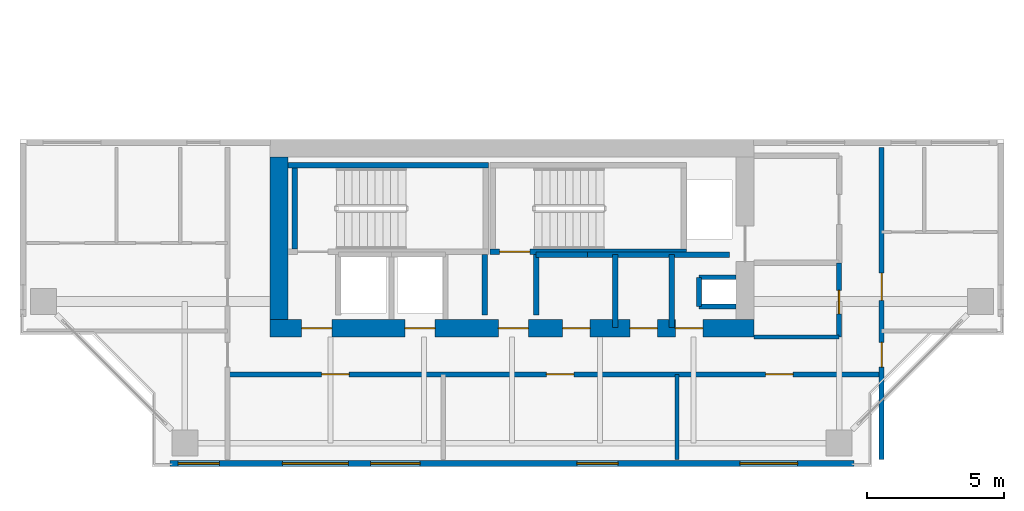
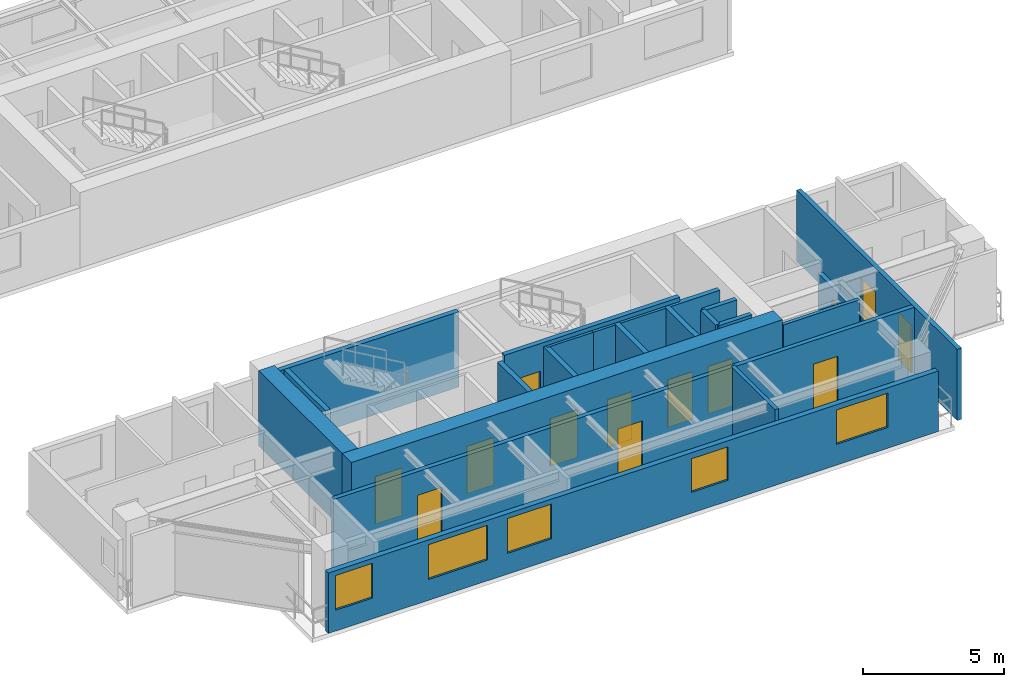
# One storey, part 7 of 12: 20 walls, 13 doors, 5 windows, 18 openings.
"""IFC4 building model written with IfcOpenShell, lengths in metres."""

from ifc_helpers import new_model, si_unit, direction, frame, frame_2d, origin, place, context, subcontext, project, spatial, rectangle, extrude, source, transform, mapped, material, layer, layer_set, type_object, element, fill, save


model = new_model("IFC4")

# Units and contexts
model_context = context("Model", 3, precision=1e-05, world=origin(), true_north=direction((0.0, 1.0)))
body_context = subcontext(model_context, "Body", "Model", "MODEL_VIEW")
ifc_project = project(units=[si_unit("LENGTHUNIT", "METRE"), si_unit("AREAUNIT", "SQUARE_METRE"), si_unit("VOLUMEUNIT", "CUBIC_METRE"), si_unit("PLANEANGLEUNIT", "RADIAN"), si_unit("MASSUNIT", "GRAM", prefix="KILO"), si_unit("THERMODYNAMICTEMPERATUREUNIT", "KELVIN"), si_unit("POWERUNIT", "WATT")], contexts=[model_context])

# Site, building, storey
site_placement = place(None, origin())
site = spatial("IfcSite", under=ifc_project, at=site_placement, CompositionType="ELEMENT")
building_placement = place(site_placement, origin())
building = spatial("IfcBuilding", under=site, at=building_placement, Name="Qiaomeng Ring Towers", CompositionType="ELEMENT")
storey_placement = place(building_placement, frame((0.0, 0.0, 160.0)))
storey = spatial("IfcBuildingStorey", under=building, at=storey_placement, Name="L46", CompositionType="ELEMENT", Elevation=160.0)

# Wall, openings, windows
ifc_material_1 = material(Name="Precast concrete C40", Category="concrete")
ifc_layer_1 = layer(ifc_material_1, 0.219970703125, Name="Precast concrete C40")
ifc_layer_set_1 = layer_set([ifc_layer_1], Name="Precast concrete C40")
wall_type_1 = type_object("IfcWallType", Name="ARC-WL-EW2", PredefinedType="STANDARD", material=ifc_layer_set_1)
wall_1_placement = place(storey_placement, frame((6.550048828125, 5.2099609375, 0.0), z_axis=(0.0, 0.0, 1.0), x_axis=(1.0, 0.0, 0.0)))
wall_1 = element("IfcWall", 1, at=wall_1_placement, inside=storey, type_object=wall_type_1, Name="L46 Tower 1 S Exterior Wall", PredefinedType="STANDARD", context=body_context, shape_type="SweptSolid", body=[
    extrude(rectangle(XDim=24.89990234375, YDim=0.219970703125, at=frame_2d((12.449951171875, 0.0))), origin(), (0.0, 0.0, 1.0), 2.610107421875),
])
opening_1_placement = place(wall_1_placement, frame((0.300048828125, 0.0, 0.89990234375)))
opening_1 = element("IfcOpeningElement", 2, at=opening_1_placement, cuts=wall_1, Name="Opening WN2", PredefinedType="OPENING", context=body_context, shape_type="SweptSolid", body=[
    extrude(rectangle(XDim=1.5, YDim=1.5, at=frame_2d((0.75, 0.75))), frame((0.0, 0.119873046875, 0.0), z_axis=(0.0, -1.0, 0.0), x_axis=(1.0, 0.0, 0.0)), (0.0, 0.0, 1.0), 0.239990234375),
])
opening_2_placement = place(wall_1_placement, frame((7.304443359375, 0.0, 0.89990234375)))
opening_2 = element("IfcOpeningElement", 3, at=opening_2_placement, cuts=wall_1, Name="Opening WN1", PredefinedType="OPENING", context=body_context, shape_type="SweptSolid", body=[
    extrude(rectangle(XDim=1.800048828125, YDim=1.5, at=frame_2d((0.89990234375, 0.75))), frame((0.0, 0.119873046875, 0.0), z_axis=(0.0, -1.0, 0.0), x_axis=(1.0, 0.0, 0.0)), (0.0, 0.0, 1.0), 0.239990234375),
])
opening_3_placement = place(wall_1_placement, frame((14.81298828125, 0.0, 0.89990234375)))
opening_3 = element("IfcOpeningElement", 4, at=opening_3_placement, cuts=wall_1, Name="Opening WN2", PredefinedType="OPENING", context=body_context, shape_type="SweptSolid", body=[
    extrude(rectangle(XDim=1.5, YDim=1.449951171875, at=frame_2d((0.75, 0.72509765625))), frame((0.0, 0.119873046875, 0.0), z_axis=(0.0, -1.0, 0.0), x_axis=(1.0, 0.0, 0.0)), (0.0, 0.0, 1.0), 0.239990234375),
])
opening_4_placement = place(wall_1_placement, frame((20.738037109375, 0.0, 0.89990234375)))
opening_4 = element("IfcOpeningElement", 5, at=opening_4_placement, cuts=wall_1, Name="Opening WN4", PredefinedType="OPENING", context=body_context, shape_type="SweptSolid", body=[
    extrude(rectangle(XDim=2.10009765625, YDim=1.47998046875, at=frame_2d((1.050048828125, 0.739990234375))), frame((0.0, 0.119873046875, 0.0), z_axis=(0.0, -1.0, 0.0), x_axis=(1.0, 0.0, 0.0)), (0.0, 0.0, 1.0), 0.239990234375),
])
opening_5_placement = place(wall_1_placement, frame((4.093994140625, 0.0, 0.89990234375)))
opening_5 = element("IfcOpeningElement", 6, at=opening_5_placement, cuts=wall_1, Name="Opening WN6", PredefinedType="OPENING", context=body_context, shape_type="SweptSolid", body=[
    extrude(rectangle(XDim=2.39990234375, YDim=1.5, at=frame_2d((1.199951171875, 0.75))), frame((0.0, 0.119873046875, 0.0), z_axis=(0.0, -1.0, 0.0), x_axis=(1.0, 0.0, 0.0)), (0.0, 0.0, 1.0), 0.239990234375),
])
ifc_material_2 = material(Name="Low-E dark-grey laminated double glazing", Category="glass")
window_type_1 = type_object("IfcWindowType", Name="ARC-WN-2", PartitioningType="DOUBLE_PANEL_VERTICAL", PredefinedType="WINDOW", material=ifc_material_2)
shared_shape_1 = source(origin(), body_context, "Body", "SweptSolid", [
    extrude(rectangle(XDim=1.5, YDim=1.449951171875, at=frame_2d((0.75, 0.72509765625))), frame((0.0, 0.030029296875, 0.0), z_axis=(0.0, -1.0, 0.0), x_axis=(1.0, 0.0, 0.0)), (0.0, 0.0, 1.0), 0.06005859375),
])
window_1_placement = place(opening_3_placement, origin())
window_1 = element("IfcWindow", 7, at=window_1_placement, inside=storey, type_object=window_type_1, Name="L46 Exterior Window WN2", OverallHeight=1.449951171875, OverallWidth=1.5, PartitioningType="DOUBLE_PANEL_VERTICAL", PredefinedType="WINDOW", context=body_context, shape_type="MappedRepresentation", body=[
    mapped(shared_shape_1, transform((0.0, 0.0, 0.0), x_axis=(1.0, 0.0, 0.0), y_axis=(0.0, 1.0, 0.0), z_axis=(0.0, 0.0, 1.0), scale=1.0)),
])
fill(opening_3, window_1)
window_type_2 = type_object("IfcWindowType", Name="ARC-WN-4", PartitioningType="TRIPLE_PANEL_VERTICAL", PredefinedType="WINDOW", material=ifc_material_2)
shared_shape_2 = source(origin(), body_context, "Body", "SweptSolid", [
    extrude(rectangle(XDim=2.10009765625, YDim=1.47998046875, at=frame_2d((1.050048828125, 0.739990234375))), frame((0.0, 0.030029296875, 0.0), z_axis=(0.0, -1.0, 0.0), x_axis=(1.0, 0.0, 0.0)), (0.0, 0.0, 1.0), 0.06005859375),
])
window_2_placement = place(opening_4_placement, origin())
window_2 = element("IfcWindow", 8, at=window_2_placement, inside=storey, type_object=window_type_2, Name="L46 Exterior Window WN4", OverallHeight=1.47998046875, OverallWidth=2.10009765625, PartitioningType="TRIPLE_PANEL_VERTICAL", PredefinedType="WINDOW", context=body_context, shape_type="MappedRepresentation", body=[
    mapped(shared_shape_2, transform((0.0, 0.0, 0.0), x_axis=(1.0, 0.0, 0.0), y_axis=(0.0, 1.0, 0.0), z_axis=(0.0, 0.0, 1.0), scale=1.0)),
])
fill(opening_4, window_2)
shared_shape_3 = source(origin(), body_context, "Body", "SweptSolid", [
    extrude(rectangle(XDim=1.5, YDim=1.5, at=frame_2d((0.75, 0.75))), frame((0.0, 0.030029296875, 0.0), z_axis=(0.0, -1.0, 0.0), x_axis=(1.0, 0.0, 0.0)), (0.0, 0.0, 1.0), 0.06005859375),
])
window_3_placement = place(opening_1_placement, origin())
window_3 = element("IfcWindow", 9, at=window_3_placement, inside=storey, type_object=window_type_1, Name="L46 Exterior Window WN6", OverallHeight=1.5, OverallWidth=1.5, PartitioningType="TRIPLE_PANEL_VERTICAL", PredefinedType="WINDOW", context=body_context, shape_type="MappedRepresentation", body=[
    mapped(shared_shape_3, transform((0.0, 0.0, 0.0), x_axis=(1.0, 0.0, 0.0), y_axis=(0.0, 1.0, 0.0), z_axis=(0.0, 0.0, 1.0), scale=1.0)),
])
fill(opening_1, window_3)
window_type_3 = type_object("IfcWindowType", Name="ARC-WN-6", PartitioningType="TRIPLE_PANEL_VERTICAL", PredefinedType="WINDOW", material=ifc_material_2)
shared_shape_4 = source(origin(), body_context, "Body", "SweptSolid", [
    extrude(rectangle(XDim=2.39990234375, YDim=1.5, at=frame_2d((1.199951171875, 0.75))), frame((0.0, 0.030029296875, 0.0), z_axis=(0.0, -1.0, 0.0), x_axis=(1.0, 0.0, 0.0)), (0.0, 0.0, 1.0), 0.06005859375),
])
window_4_placement = place(opening_5_placement, origin())
window_4 = element("IfcWindow", 10, at=window_4_placement, inside=storey, type_object=window_type_3, Name="L46 Exterior Window WN6", OverallHeight=1.5, OverallWidth=2.39990234375, PartitioningType="TRIPLE_PANEL_VERTICAL", PredefinedType="WINDOW", context=body_context, shape_type="MappedRepresentation", body=[
    mapped(shared_shape_4, transform((0.0, 0.0, 0.0), x_axis=(1.0, 0.0, 0.0), y_axis=(0.0, 1.0, 0.0), z_axis=(0.0, 0.0, 1.0), scale=1.0)),
])
fill(opening_5, window_4)
window_type_4 = type_object("IfcWindowType", Name="ARC-WN-1", PartitioningType="DOUBLE_PANEL_VERTICAL", PredefinedType="WINDOW", material=ifc_material_2)
shared_shape_5 = source(origin(), body_context, "Body", "SweptSolid", [
    extrude(rectangle(XDim=1.800048828125, YDim=1.5, at=frame_2d((0.89990234375, 0.75))), frame((0.0, 0.030029296875, 0.0), z_axis=(0.0, -1.0, 0.0), x_axis=(1.0, 0.0, 0.0)), (0.0, 0.0, 1.0), 0.06005859375),
])
window_5_placement = place(opening_2_placement, origin())
window_5 = element("IfcWindow", 11, at=window_5_placement, inside=storey, type_object=window_type_4, Name="L46 Exterior Window WN1", OverallHeight=1.5, OverallWidth=1.800048828125, PartitioningType="DOUBLE_PANEL_VERTICAL", PredefinedType="WINDOW", context=body_context, shape_type="MappedRepresentation", body=[
    mapped(shared_shape_5, transform((0.0, 0.0, 0.0), x_axis=(1.0, 0.0, 0.0), y_axis=(0.0, 1.0, 0.0), z_axis=(0.0, 0.0, 1.0), scale=1.0)),
])
fill(opening_2, window_5)

# Walls
ifc_material_3 = material(Name="Autoclaved aerated concrete block", Category="concrete")
ifc_layer_2 = layer(ifc_material_3, 0.199951171875, Name="Autoclaved aerated concrete block")
ifc_layer_set_2 = layer_set([ifc_layer_2], Name="Autoclaved aerated concrete block")
wall_type_2 = type_object("IfcWallType", Name="ARC-WL-PW1", PredefinedType="PARTITIONING", material=ifc_layer_set_2)
for number, where, z_axis, x_axis, name in (
    (12, (18.0, 10.60009765625, 0.0), (0.0, 0.0, 1.0), (0.0, 1.0, 0.0), "L46 Interior Wall PW1"),
    (13, (19.8798828125, 10.60009765625, 0.0), (0.0, 0.0, 1.0), (0.0, 1.0, 0.0), "L46 Interior Wall PW1"),
):
    element("IfcWall", number, at=place(storey_placement, frame(where, z_axis=z_axis, x_axis=x_axis)), inside=storey, type_object=wall_type_2, Name=name, PredefinedType="PARTITIONING", context=body_context, shape_type="SweptSolid", body=[
        extrude(rectangle(XDim=2.2099609375, YDim=0.199951171875, at=frame_2d((1.10498046875, 0.0))), origin(), (0.0, 0.0, 1.0), 3.070068359375),
    ])
wall_2_placement = place(storey_placement, frame((24.820068359375, 10.14990234375, 0.0), z_axis=(0.0, 0.0, 1.0), x_axis=(0.0, 1.0, 0.0)))
element("IfcWall", 14, at=wall_2_placement, inside=storey, type_object=wall_type_2, Name="L46 Interior Wall PW1", PredefinedType="PARTITIONING", context=body_context, shape_type="SweptSolid", body=[
    extrude(rectangle(XDim=2.650146484375, YDim=0.199951171875, at=frame_2d((1.3251953125, 0.0))), origin(), (0.0, 0.0, 1.0), 3.070068359375),
])
wall_3_placement = place(storey_placement, frame((19.8798828125, 12.800048828125, 0.0), z_axis=(0.0, 0.0, 1.0), x_axis=(1.0, 0.0, 0.0)))
element("IfcWall", 15, at=wall_3_placement, inside=storey, type_object=wall_type_2, Name="L46 Interior Wall PW1", PredefinedType="PARTITIONING", context=body_context, shape_type="SweptSolid", body=[
    extrude(rectangle(XDim=1.8701171875, YDim=0.199951171875, at=frame_2d((0.93505859375, 0.0))), origin(), (0.0, 0.0, 1.0), 3.070068359375),
])
wall_4_placement = place(storey_placement, frame((22.760009765625, 10.14990234375, 0.0), z_axis=(0.0, 0.0, 1.0), x_axis=(0.0, 1.0, 0.0)))
element("IfcWall", 16, at=wall_4_placement, inside=storey, type_object=wall_type_2, Name="L46 Interior Wall PW1", PredefinedType="PARTITIONING", context=body_context, shape_type="SweptSolid", body=[
    extrude(rectangle(XDim=2.650146484375, YDim=0.199951171875, at=frame_2d((1.3251953125, 0.0))), origin(), (0.0, 0.0, 1.0), 3.070068359375),
])
wall_5_placement = place(storey_placement, frame((21.75, 12.800048828125, 0.0), z_axis=(0.0, 0.0, 1.0), x_axis=(1.0, 0.0, 0.0)))
element("IfcWall", 17, at=wall_5_placement, inside=storey, type_object=wall_type_2, Name="L46 Interior Wall PW1", PredefinedType="PARTITIONING", context=body_context, shape_type="SweptSolid", body=[
    extrude(rectangle(XDim=5.169921875, YDim=0.199951171875, at=frame_2d((2.5849609375, 0.0))), origin(), (0.0, 0.0, 1.0), 3.070068359375),
])

# Wall, opening, door
ifc_layer_3 = layer(ifc_material_3, 0.179931640625, Name="Autoclaved aerated concrete block")
ifc_layer_set_3 = layer_set([ifc_layer_3], Name="Autoclaved aerated concrete block")
wall_type_3 = type_object("IfcWallType", Name="ARC-WL-PW2", PredefinedType="PARTITIONING", material=ifc_layer_set_3)
wall_6_placement = place(storey_placement, frame((30.89990234375, 9.800048828125, 0.0), z_axis=(0.0, 0.0, 1.0), x_axis=(0.0, 1.0, 0.0)))
wall_6 = element("IfcWall", 18, at=wall_6_placement, inside=storey, type_object=wall_type_3, Name="L46 Interior Wall PW2", PredefinedType="PARTITIONING", context=body_context, shape_type="SweptSolid", body=[
    extrude(rectangle(XDim=2.699951171875, YDim=0.179931640625, at=frame_2d((1.35009765625, 0.0))), origin(), (0.0, 0.0, 1.0), 2.56494140625),
])
opening_6_placement = place(wall_6_placement, frame((0.85009765625, 0.0, 0.0)))
opening_6 = element("IfcOpeningElement", 19, at=opening_6_placement, cuts=wall_6, Name="Opening ID2", PredefinedType="OPENING", context=body_context, shape_type="SweptSolid", body=[
    extrude(rectangle(XDim=0.85009765625, YDim=2.050048828125, at=frame_2d((0.425048828125, 1.02490234375))), frame((0.0, 0.099853515625, 0.0), z_axis=(0.0, -1.0, 0.0), x_axis=(1.0, 0.0, 0.0)), (0.0, 0.0, 1.0), 0.199951171875),
])
ifc_material_4 = material(Name="Moisture-resistant engineered timber", Category="wood")
door_type_1 = type_object("IfcDoorType", Name="ARC-DR-ID2", OperationType="NOTDEFINED", PredefinedType="DOOR", material=ifc_material_4)
shared_shape_6 = source(origin(), body_context, "Body", "SweptSolid", [
    extrude(rectangle(XDim=0.85009765625, YDim=2.050048828125, at=frame_2d((0.425048828125, 1.02490234375))), frame((0.0, 0.02490234375, 0.0), z_axis=(0.0, -1.0, 0.0), x_axis=(1.0, 0.0, 0.0)), (0.0, 0.0, 1.0), 0.050048828125),
])
door_1_placement = place(opening_6_placement, origin())
door_1 = element("IfcDoor", 20, at=door_1_placement, inside=storey, type_object=door_type_1, Name="L46 Door ID2", OperationType="SINGLE_SWING_LEFT", OverallHeight=2.050048828125, OverallWidth=0.85009765625, PredefinedType="DOOR", context=body_context, shape_type="MappedRepresentation", body=[
    mapped(shared_shape_6, transform((0.0, 0.0, 0.0), x_axis=(1.0, 0.0, 0.0), y_axis=(0.0, 1.0, 0.0), z_axis=(0.0, 0.0, 1.0), scale=1.0)),
])
fill(opening_6, door_1)

# Wall, openings, doors
wall_7_placement = place(storey_placement, frame((32.449951171875, 5.35009765625, 0.0), z_axis=(0.0, 0.0, 1.0), x_axis=(0.0, 1.0, 0.0)))
wall_7 = element("IfcWall", 21, at=wall_7_placement, inside=storey, type_object=wall_type_3, Name="L46 Interior Wall PW2", PredefinedType="PARTITIONING", context=body_context, shape_type="SweptSolid", body=[
    extrude(rectangle(XDim=11.349853515625, YDim=0.179931640625, at=frame_2d((5.6748046875, 0.0))), origin(), (0.0, 0.0, 1.0), 3.070068359375),
])
opening_7_placement = place(wall_7_placement, frame((3.360107421875, 0.0, 0.0)))
opening_7 = element("IfcOpeningElement", 22, at=opening_7_placement, cuts=wall_7, Name="Opening ID1", PredefinedType="OPENING", context=body_context, shape_type="SweptSolid", body=[
    extrude(rectangle(XDim=0.89990234375, YDim=2.050048828125, at=frame_2d((0.449951171875, 1.02490234375))), frame((0.0, 0.099853515625, 0.0), z_axis=(0.0, -1.0, 0.0), x_axis=(1.0, 0.0, 0.0)), (0.0, 0.0, 1.0), 0.199951171875),
])
opening_8_placement = place(wall_7_placement, frame((5.784912109375, 0.0, 0.0)))
opening_8 = element("IfcOpeningElement", 23, at=opening_8_placement, cuts=wall_7, Name="Opening FD4", PredefinedType="OPENING", context=body_context, shape_type="SweptSolid", body=[
    extrude(rectangle(XDim=1.0, YDim=2.050048828125, at=frame_2d((0.5, 1.02490234375))), frame((0.0, 0.099853515625, 0.0), z_axis=(0.0, -1.0, 0.0), x_axis=(1.0, 0.0, 0.0)), (0.0, 0.0, 1.0), 0.199951171875),
])
ifc_material_5 = material(Name="Engineered fire-rated oak timber", Category="wood")
door_type_2 = type_object("IfcDoorType", Name="ARC-DR-FD4", OperationType="NOTDEFINED", PredefinedType="DOOR", material=ifc_material_5)
shared_shape_7 = source(origin(), body_context, "Body", "SweptSolid", [
    extrude(rectangle(XDim=1.0, YDim=2.050048828125, at=frame_2d((0.5, 1.02490234375))), frame((0.0, 0.02490234375, 0.0), z_axis=(0.0, -1.0, 0.0), x_axis=(1.0, 0.0, 0.0)), (0.0, 0.0, 1.0), 0.050048828125),
])
door_2_placement = place(opening_8_placement, origin())
door_2 = element("IfcDoor", 24, at=door_2_placement, inside=storey, type_object=door_type_2, Name="L46 Door FD4", OperationType="SINGLE_SWING_LEFT", OverallHeight=2.050048828125, OverallWidth=1.0, PredefinedType="DOOR", context=body_context, shape_type="MappedRepresentation", body=[
    mapped(shared_shape_7, transform((0.0, 0.0, 0.0), x_axis=(1.0, 0.0, 0.0), y_axis=(0.0, 1.0, 0.0), z_axis=(0.0, 0.0, 1.0), scale=1.0)),
])
fill(opening_8, door_2)
ifc_material_6 = material(Name="Engineered oak timber", Category="wood")
door_type_3 = type_object("IfcDoorType", Name="ARC-DR-ID1", OperationType="NOTDEFINED", PredefinedType="DOOR", material=ifc_material_6)
shared_shape_8 = source(origin(), body_context, "Body", "SweptSolid", [
    extrude(rectangle(XDim=0.89990234375, YDim=2.050048828125, at=frame_2d((0.449951171875, 1.02490234375))), frame((0.0, 0.02490234375, 0.0), z_axis=(0.0, -1.0, 0.0), x_axis=(1.0, 0.0, 0.0)), (0.0, 0.0, 1.0), 0.050048828125),
])
door_3_placement = place(opening_7_placement, origin())
door_3 = element("IfcDoor", 25, at=door_3_placement, inside=storey, type_object=door_type_3, Name="L46 Door ID1", OperationType="SINGLE_SWING_RIGHT", OverallHeight=2.050048828125, OverallWidth=0.89990234375, PredefinedType="DOOR", context=body_context, shape_type="MappedRepresentation", body=[
    mapped(shared_shape_8, transform((0.0, 0.0, 0.0), x_axis=(1.0, 0.0, 0.0), y_axis=(0.0, 1.0, 0.0), z_axis=(0.0, 0.0, 1.0), scale=1.0)),
])
fill(opening_7, door_3)

wall_8_placement = place(storey_placement, frame((8.64990234375, 8.449951171875, 0.0), z_axis=(0.0, 0.0, 1.0), x_axis=(1.0, 0.0, 0.0)))
wall_8 = element("IfcWall", 26, at=wall_8_placement, inside=storey, type_object=wall_type_3, Name="L46 Interior Wall PW2", PredefinedType="PARTITIONING", context=body_context, shape_type="SweptSolid", body=[
    extrude(rectangle(XDim=23.800048828125, YDim=0.179931640625, at=frame_2d((11.89990234375, 0.0))), origin(), (0.0, 0.0, 1.0), 3.070068359375),
])
opening_9_placement = place(wall_8_placement, frame((3.425048828125, 0.0, 0.0)))
opening_9 = element("IfcOpeningElement", 27, at=opening_9_placement, cuts=wall_8, Name="Opening FD4", PredefinedType="OPENING", context=body_context, shape_type="SweptSolid", body=[
    extrude(rectangle(XDim=1.0, YDim=2.050048828125, at=frame_2d((0.5, 1.02490234375))), frame((0.0, 0.099853515625, 0.0), z_axis=(0.0, -1.0, 0.0), x_axis=(1.0, 0.0, 0.0)), (0.0, 0.0, 1.0), 0.199951171875),
])
opening_10_placement = place(wall_8_placement, frame((11.60009765625, 0.0, 0.0)))
opening_10 = element("IfcOpeningElement", 28, at=opening_10_placement, cuts=wall_8, Name="Opening FD4", PredefinedType="OPENING", context=body_context, shape_type="SweptSolid", body=[
    extrude(rectangle(XDim=1.0, YDim=2.050048828125, at=frame_2d((0.5, 1.02490234375))), frame((0.0, 0.099853515625, 0.0), z_axis=(0.0, -1.0, 0.0), x_axis=(1.0, 0.0, 0.0)), (0.0, 0.0, 1.0), 0.199951171875),
])
opening_11_placement = place(wall_8_placement, frame((19.574951171875, 0.0, 0.0)))
opening_11 = element("IfcOpeningElement", 29, at=opening_11_placement, cuts=wall_8, Name="Opening FD4", PredefinedType="OPENING", context=body_context, shape_type="SweptSolid", body=[
    extrude(rectangle(XDim=1.0, YDim=2.050048828125, at=frame_2d((0.5, 1.02490234375))), frame((0.0, 0.099853515625, 0.0), z_axis=(0.0, -1.0, 0.0), x_axis=(1.0, 0.0, 0.0)), (0.0, 0.0, 1.0), 0.199951171875),
])
door_4_placement = place(opening_9_placement, origin())
door_4 = element("IfcDoor", 30, at=door_4_placement, inside=storey, type_object=door_type_2, Name="L46 Door FD4", OperationType="SINGLE_SWING_RIGHT", OverallHeight=2.050048828125, OverallWidth=1.0, PredefinedType="DOOR", context=body_context, shape_type="MappedRepresentation", body=[
    mapped(shared_shape_7, transform((0.0, 0.0, 0.0), x_axis=(1.0, 0.0, 0.0), y_axis=(0.0, 1.0, 0.0), z_axis=(0.0, 0.0, 1.0), scale=1.0)),
])
fill(opening_9, door_4)
door_5_placement = place(opening_10_placement, origin())
door_5 = element("IfcDoor", 31, at=door_5_placement, inside=storey, type_object=door_type_2, Name="L46 Door FD4", OperationType="SINGLE_SWING_LEFT", OverallHeight=2.050048828125, OverallWidth=1.0, PredefinedType="DOOR", context=body_context, shape_type="MappedRepresentation", body=[
    mapped(shared_shape_7, transform((0.0, 0.0, 0.0), x_axis=(1.0, 0.0, 0.0), y_axis=(0.0, 1.0, 0.0), z_axis=(0.0, 0.0, 1.0), scale=1.0)),
])
fill(opening_10, door_5)
door_6_placement = place(opening_11_placement, origin())
door_6 = element("IfcDoor", 32, at=door_6_placement, inside=storey, type_object=door_type_2, Name="L46 Door FD4", OperationType="SINGLE_SWING_RIGHT", OverallHeight=2.050048828125, OverallWidth=1.0, PredefinedType="DOOR", context=body_context, shape_type="MappedRepresentation", body=[
    mapped(shared_shape_7, transform((0.0, 0.0, 0.0), x_axis=(1.0, 0.0, 0.0), y_axis=(0.0, 1.0, 0.0), z_axis=(0.0, 0.0, 1.0), scale=1.0)),
])
fill(opening_11, door_6)

# Walls
ifc_material_7 = material(Name="Gypsum fireboard steel-stud partition", Category="steel")
ifc_layer_4 = layer(ifc_material_7, 0.14990234375, Name="Gypsum fireboard steel-stud partition")
ifc_layer_set_4 = layer_set([ifc_layer_4], Name="Gypsum fireboard steel-stud partition")
wall_type_4 = type_object("IfcWallType", Name="ARC-WL-PW3", PredefinedType="PARTITIONING", material=ifc_layer_set_4)
for number, where, z_axis, x_axis, name in (
    (33, (27.800048828125, 9.800048828125, 0.0), (0.0, 0.0, 1.0), (1.0, 0.0, 0.0), "L46 Interior Wall PW3"),
    (34, (25.0, 5.35009765625, 0.0), (0.0, 0.0, 1.0), (0.0, 1.0, 0.0), "L46 Interior Wall PW3"),
):
    element("IfcWall", number, at=place(storey_placement, frame(where, z_axis=z_axis, x_axis=x_axis)), inside=storey, type_object=wall_type_4, Name=name, PredefinedType="PARTITIONING", context=body_context, shape_type="SweptSolid", body=[
        extrude(rectangle(XDim=3.099853515625, YDim=0.14990234375, at=frame_2d((1.5498046875, 0.0))), origin(), (0.0, 0.0, 1.0), 3.070068359375),
    ])
ifc_material_8 = material(Name="Concrete C40", Category="concrete")
ifc_layer_5 = layer(ifc_material_8, 0.199951171875, Name="Concrete C40")
ifc_layer_set_5 = layer_set([ifc_layer_5], Name="Concrete C40")
wall_type_5 = type_object("IfcWallType", Name="STR-WL-STSHAFT", PredefinedType="SHEAR", material=ifc_layer_set_5)
wall_9_placement = place(storey_placement, frame((25.800048828125, 10.919921875, 0.0), z_axis=(0.0, 0.0, 1.0), x_axis=(0.0, 1.0, 0.0)))
element("IfcWall", 35, at=wall_9_placement, inside=storey, type_object=wall_type_5, Name="L46 Riser RSR1 West Shaft Wall S", PredefinedType="SHEAR", context=body_context, shape_type="SweptSolid", body=[
    extrude(rectangle(XDim=1.06005859375, YDim=0.179931640625, at=frame_2d((0.530029296875, 0.0))), origin(), (0.0, 0.0, 1.0), 3.070068359375),
])
for number, where, z_axis, x_axis, name in (
    (36, (25.800048828125, 11.97998046875, 0.0), (0.0, 0.0, 1.0), (1.0, 0.0, 0.0), "L46 Riser RSR1 North Shaft Wall S"),
    (37, (25.800048828125, 10.919921875, 0.0), (0.0, 0.0, 1.0), (1.0, 0.0, 0.0), "L46 Riser RSR1 South Shaft Wall S"),
):
    element("IfcWall", number, at=place(storey_placement, frame(where, z_axis=z_axis, x_axis=x_axis)), inside=storey, type_object=wall_type_5, Name=name, PredefinedType="SHEAR", context=body_context, shape_type="SweptSolid", body=[
        extrude(rectangle(XDim=1.349853515625, YDim=0.179931640625, at=frame_2d((0.6748046875, 0.0))), origin(), (0.0, 0.0, 1.0), 3.070068359375),
    ])
wall_10_placement = place(storey_placement, frame((10.85009765625, 16.050048828125, 0.0), z_axis=(0.0, 0.0, 1.0), x_axis=(1.0, 0.0, 0.0)))
element("IfcWall", 38, at=wall_10_placement, inside=storey, type_object=wall_type_5, Name="L46 Stair ST3 North Shaft Shear Wall", PredefinedType="SHEAR", context=body_context, shape_type="SweptSolid", body=[
    extrude(rectangle(XDim=7.2998046875, YDim=0.199951171875, at=frame_2d((3.64990234375, 0.0))), origin(), (0.0, 0.0, 1.0), 3.25),
])
wall_11_placement = place(storey_placement, frame((11.10009765625, 13.010009765625, 0.0), z_axis=(0.0, 0.0, 1.0), x_axis=(0.0, 1.0, 0.0)))
element("IfcWall", 39, at=wall_11_placement, inside=storey, type_object=wall_type_5, Name="L46 Stair ST3 West Shaft Shear Wall", PredefinedType="SHEAR", context=body_context, shape_type="SweptSolid", body=[
    extrude(rectangle(XDim=2.93994140625, YDim=0.199951171875, at=frame_2d((1.469970703125, 0.0))), origin(), (0.0, 0.0, 1.0), 3.25),
])

# Wall, opening, door
wall_12_placement = place(storey_placement, frame((18.199951171875, 12.909912109375, 0.0), z_axis=(0.0, 0.0, 1.0), x_axis=(1.0, 0.0, 0.0)))
wall_12 = element("IfcWall", 40, at=wall_12_placement, inside=storey, type_object=wall_type_5, Name="L46 Stair ST4 South Shaft Shear Wall", PredefinedType="SHEAR", context=body_context, shape_type="SweptSolid", body=[
    extrude(rectangle(XDim=7.150146484375, YDim=0.199951171875, at=frame_2d((3.5751953125, 0.0))), origin(), (0.0, 0.0, 1.0), 3.25),
])
opening_12_placement = place(wall_12_placement, frame((0.35009765625, 0.0, 0.0)))
opening_12 = element("IfcOpeningElement", 41, at=opening_12_placement, cuts=wall_12, Name="Opening FD3", PredefinedType="OPENING", context=body_context, shape_type="SweptSolid", body=[
    extrude(rectangle(XDim=1.10009765625, YDim=2.050048828125, at=frame_2d((0.550048828125, 1.02490234375))), frame((0.0, 0.10986328125, 0.0), z_axis=(0.0, -1.0, 0.0), x_axis=(1.0, 0.0, 0.0)), (0.0, 0.0, 1.0), 0.219970703125),
])
ifc_material_9 = material(Name="Galvanised steel", Category="steel")
door_type_4 = type_object("IfcDoorType", Name="ARC-DR-FD3", OperationType="NOTDEFINED", PredefinedType="DOOR", material=ifc_material_9)
shared_shape_9 = source(origin(), body_context, "Body", "SweptSolid", [
    extrude(rectangle(XDim=1.10009765625, YDim=2.050048828125, at=frame_2d((0.550048828125, 1.02490234375))), frame((0.0, 0.02490234375, 0.0), z_axis=(0.0, -1.0, 0.0), x_axis=(1.0, 0.0, 0.0)), (0.0, 0.0, 1.0), 0.050048828125),
])
door_7_placement = place(opening_12_placement, frame((1.10009765625, 0.0, 0.0), z_axis=(0.0, 0.0, 1.0), x_axis=(-1.0, 0.0, 0.0)))
door_7 = element("IfcDoor", 42, at=door_7_placement, inside=storey, type_object=door_type_4, Name="L46 Stair ST4 Exit Door", OperationType="SINGLE_SWING_LEFT", OverallHeight=2.050048828125, OverallWidth=1.10009765625, PredefinedType="DOOR", context=body_context, shape_type="MappedRepresentation", body=[
    mapped(shared_shape_9, transform((0.0, 0.0, 0.0), x_axis=(1.0, 0.0, 0.0), y_axis=(0.0, 1.0, 0.0), z_axis=(0.0, 0.0, 1.0), scale=1.0)),
])
fill(opening_12, door_7)

# Wall, openings, doors
ifc_material_10 = material(Name="Concrete C50", Category="concrete")
ifc_layer_6 = layer(ifc_material_10, 0.64990234375, Name="Concrete C50")
ifc_layer_set_6 = layer_set([ifc_layer_6], Name="Concrete C50")
wall_type_6 = type_object("IfcWallType", Name="STR-WL-SW2B", PredefinedType="SHEAR", material=ifc_layer_set_6)
wall_13_placement = place(storey_placement, frame((10.199951171875, 10.125, 0.0), z_axis=(0.0, 0.0, 1.0), x_axis=(1.0, 0.0, 0.0)))
wall_13 = element("IfcWall", 43, at=wall_13_placement, inside=storey, type_object=wall_type_6, Name="L46 T1SC south core shear wall", PredefinedType="SHEAR", context=body_context, shape_type="SweptSolid", body=[
    extrude(rectangle(XDim=17.60009765625, YDim=0.64990234375, at=frame_2d((8.800048828125, 0.0))), origin(), (0.0, 0.0, 1.0), 3.25),
])
opening_13_placement = place(wall_13_placement, frame((1.14990234375, 0.0, 0.0)))
opening_13 = element("IfcOpeningElement", 44, at=opening_13_placement, cuts=wall_13, Name="Opening FD3", PredefinedType="OPENING", context=body_context, shape_type="SweptSolid", body=[
    extrude(rectangle(XDim=1.10009765625, YDim=2.050048828125, at=frame_2d((0.550048828125, 1.02490234375))), frame((0.0, 0.3349609375, 0.0), z_axis=(0.0, -1.0, 0.0), x_axis=(1.0, 0.0, 0.0)), (0.0, 0.0, 1.0), 0.669921875),
])
opening_14_placement = place(wall_13_placement, frame((8.300048828125, 0.0, 0.0)))
opening_14 = element("IfcOpeningElement", 45, at=opening_14_placement, cuts=wall_13, Name="Opening FD3", PredefinedType="OPENING", context=body_context, shape_type="SweptSolid", body=[
    extrude(rectangle(XDim=1.10009765625, YDim=2.050048828125, at=frame_2d((0.550048828125, 1.02490234375))), frame((0.0, 0.3349609375, 0.0), z_axis=(0.0, -1.0, 0.0), x_axis=(1.0, 0.0, 0.0)), (0.0, 0.0, 1.0), 0.669921875),
])
opening_15_placement = place(wall_13_placement, frame((4.89990234375, 0.0, 0.0)))
opening_15 = element("IfcOpeningElement", 46, at=opening_15_placement, cuts=wall_13, Name="Opening LD1", PredefinedType="OPENING", context=body_context, shape_type="SweptSolid", body=[
    extrude(rectangle(XDim=1.10009765625, YDim=2.050048828125, at=frame_2d((0.550048828125, 1.02490234375))), frame((0.0, 0.3349609375, 0.0), z_axis=(0.0, -1.0, 0.0), x_axis=(1.0, 0.0, 0.0)), (0.0, 0.0, 1.0), 0.669921875),
])
opening_16_placement = place(wall_13_placement, frame((14.739990234375, 0.0, 0.0)))
opening_16 = element("IfcOpeningElement", 47, at=opening_16_placement, cuts=wall_13, Name="Opening FD1", PredefinedType="OPENING", context=body_context, shape_type="SweptSolid", body=[
    extrude(rectangle(XDim=1.0, YDim=2.050048828125, at=frame_2d((0.5, 1.02490234375))), frame((0.0, 0.3349609375, 0.0), z_axis=(0.0, -1.0, 0.0), x_axis=(1.0, 0.0, 0.0)), (0.0, 0.0, 1.0), 0.669921875),
])
opening_17_placement = place(wall_13_placement, frame((10.639892578125, 0.0, 0.0)))
opening_17 = element("IfcOpeningElement", 48, at=opening_17_placement, cuts=wall_13, Name="Opening FD1", PredefinedType="OPENING", context=body_context, shape_type="SweptSolid", body=[
    extrude(rectangle(XDim=1.0, YDim=2.050048828125, at=frame_2d((0.5, 1.02490234375))), frame((0.0, 0.3349609375, 0.0), z_axis=(0.0, -1.0, 0.0), x_axis=(1.0, 0.0, 0.0)), (0.0, 0.0, 1.0), 0.669921875),
])
opening_18_placement = place(wall_13_placement, frame((13.090087890625, 0.0, 0.0)))
opening_18 = element("IfcOpeningElement", 49, at=opening_18_placement, cuts=wall_13, Name="Opening FD1", PredefinedType="OPENING", context=body_context, shape_type="SweptSolid", body=[
    extrude(rectangle(XDim=1.0, YDim=2.050048828125, at=frame_2d((0.5, 1.02490234375))), frame((0.0, 0.3349609375, 0.0), z_axis=(0.0, -1.0, 0.0), x_axis=(1.0, 0.0, 0.0)), (0.0, 0.0, 1.0), 0.669921875),
])
door_8_placement = place(opening_13_placement, origin())
door_8 = element("IfcDoor", 50, at=door_8_placement, inside=storey, type_object=door_type_4, Name="L46 Stair ST3 Lobby Door", OperationType="SINGLE_SWING_RIGHT", OverallHeight=2.050048828125, OverallWidth=1.10009765625, PredefinedType="DOOR", context=body_context, shape_type="MappedRepresentation", body=[
    mapped(shared_shape_9, transform((0.0, 0.0, 0.0), x_axis=(1.0, 0.0, 0.0), y_axis=(0.0, 1.0, 0.0), z_axis=(0.0, 0.0, 1.0), scale=1.0)),
])
fill(opening_13, door_8)
door_9_placement = place(opening_14_placement, origin())
door_9 = element("IfcDoor", 51, at=door_9_placement, inside=storey, type_object=door_type_4, Name="L46 Stair ST4 Lobby Door", OperationType="SINGLE_SWING_RIGHT", OverallHeight=2.050048828125, OverallWidth=1.10009765625, PredefinedType="DOOR", context=body_context, shape_type="MappedRepresentation", body=[
    mapped(shared_shape_9, transform((0.0, 0.0, 0.0), x_axis=(1.0, 0.0, 0.0), y_axis=(0.0, 1.0, 0.0), z_axis=(0.0, 0.0, 1.0), scale=1.0)),
])
fill(opening_14, door_9)
ifc_material_11 = material(Name="Stainless steel 316", Category="steel")
door_type_5 = type_object("IfcDoorType", Name="ARC-DR-LD1", OperationType="NOTDEFINED", PredefinedType="DOOR", material=ifc_material_11)
door_10_placement = place(opening_15_placement, origin())
door_10 = element("IfcDoor", 52, at=door_10_placement, inside=storey, type_object=door_type_5, Name="L46 Mid-Zone Lift LP4 Landing Door", OperationType="SLIDING_TO_RIGHT", OverallHeight=2.050048828125, OverallWidth=1.10009765625, PredefinedType="DOOR", context=body_context, shape_type="MappedRepresentation", body=[
    mapped(shared_shape_9, transform((0.0, 0.0, 0.0), x_axis=(1.0, 0.0, 0.0), y_axis=(0.0, 1.0, 0.0), z_axis=(0.0, 0.0, 1.0), scale=1.0)),
])
fill(opening_15, door_10)
door_type_6 = type_object("IfcDoorType", Name="ARC-DR-FD1", OperationType="NOTDEFINED", PredefinedType="DOOR", material=ifc_material_9)
door_11_placement = place(opening_16_placement, origin())
door_11 = element("IfcDoor", 53, at=door_11_placement, inside=storey, type_object=door_type_6, Name="L46 South Electrical Riser Door", OperationType="SINGLE_SWING_LEFT", OverallHeight=2.050048828125, OverallWidth=1.0, PredefinedType="DOOR", context=body_context, shape_type="MappedRepresentation", body=[
    mapped(shared_shape_7, transform((0.0, 0.0, 0.0), x_axis=(1.0, 0.0, 0.0), y_axis=(0.0, 1.0, 0.0), z_axis=(0.0, 0.0, 1.0), scale=1.0)),
])
fill(opening_16, door_11)
door_12_placement = place(opening_17_placement, origin())
door_12 = element("IfcDoor", 54, at=door_12_placement, inside=storey, type_object=door_type_6, Name="L46 South Telemetry Study Door", OperationType="SINGLE_SWING_RIGHT", OverallHeight=2.050048828125, OverallWidth=1.0, PredefinedType="DOOR", context=body_context, shape_type="MappedRepresentation", body=[
    mapped(shared_shape_7, transform((0.0, 0.0, 0.0), x_axis=(1.0, 0.0, 0.0), y_axis=(0.0, 1.0, 0.0), z_axis=(0.0, 0.0, 1.0), scale=1.0)),
])
fill(opening_17, door_12)
door_13_placement = place(opening_18_placement, origin())
door_13 = element("IfcDoor", 55, at=door_13_placement, inside=storey, type_object=door_type_6, Name="L46 South Staff Pantry Door", OperationType="SINGLE_SWING_LEFT", OverallHeight=2.050048828125, OverallWidth=1.0, PredefinedType="DOOR", context=body_context, shape_type="MappedRepresentation", body=[
    mapped(shared_shape_7, transform((0.0, 0.0, 0.0), x_axis=(1.0, 0.0, 0.0), y_axis=(0.0, 1.0, 0.0), z_axis=(0.0, 0.0, 1.0), scale=1.0)),
])
fill(opening_18, door_13)

# Wall
wall_14_placement = place(storey_placement, frame((10.52490234375, 10.449951171875, 0.0), z_axis=(0.0, 0.0, 1.0), x_axis=(0.0, 1.0, 0.0)))
element("IfcWall", 56, at=wall_14_placement, inside=storey, type_object=wall_type_6, Name="L46 T1SC west core shear wall", PredefinedType="SHEAR", context=body_context, shape_type="SweptSolid", body=[
    extrude(rectangle(XDim=5.900146484375, YDim=0.64990234375, at=frame_2d((2.9501953125, 0.0))), origin(), (0.0, 0.0, 1.0), 3.25),
])

save(model, "model.ifc")
